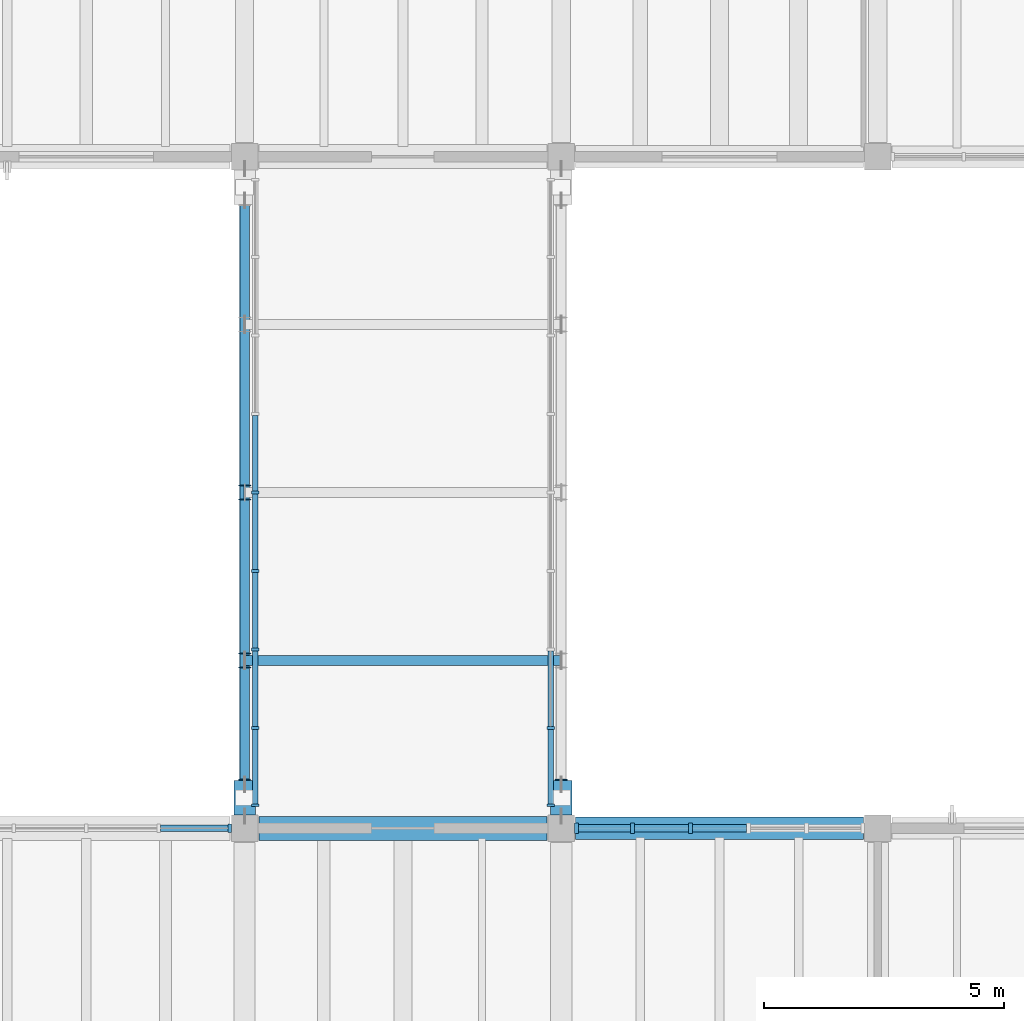
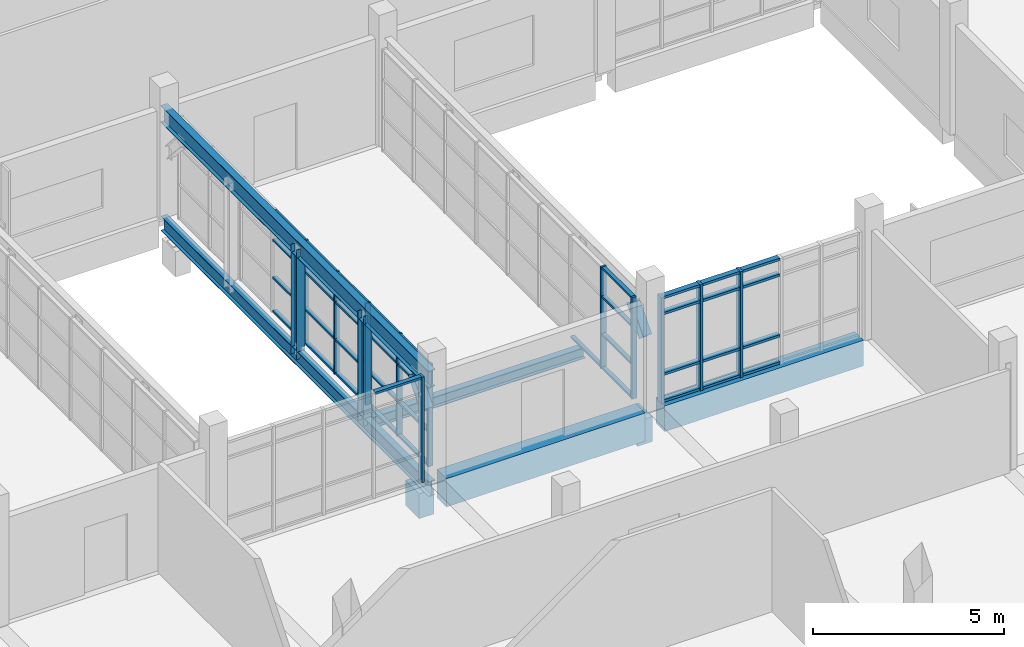
# One storey, part 20 of 67: 55 members, 5 beams, 4 elements without a shape of their own.
"""IFC4 building model written with IfcOpenShell, lengths in metres."""

import ifcopenshell
import ifcopenshell.guid

model = None  # the IFC model being written
_history = None  # IfcOwnerHistory: only IFC2X3 demands one
_inside = {}  # id of a spatial element -> (the spatial element, [elements in it])
_under = {}  # id of a project, library or spatial element -> (it, [spatial elements below it])
_declared = {}  # id of a project -> (the project, [libraries it declares])
_typed = {}  # id of a type object -> (the type object, [elements of that type])
_made_of = {}  # id of a material, layer set ... -> (it, [elements and type objects made of it])


def new_model(schema):
    """Start an empty IFC model of exactly this schema.

    Asked for "IFC4X3", IfcOpenShell would pick the latest addendum, in which some entities
    have other attributes; the version numbers below select the first issue.
    IFC2X3 requires an IfcOwnerHistory on every rooted entity: one is made here for all.
    """
    global model, _history
    if schema == "IFC4X3":
        model = ifcopenshell.file(schema_version=(4, 3, 0, 0))
    else:
        model = ifcopenshell.file(schema=schema)
    _inside.clear()
    _under.clear()
    _declared.clear()
    _typed.clear()
    _made_of.clear()
    _history = None
    if model.schema == "IFC2X3":
        org = make("IfcOrganization", Name="unknown")
        user = make(
            "IfcPersonAndOrganization",
            ThePerson=make("IfcPerson", FamilyName="unknown"),
            TheOrganization=org,
        )
        app = make(
            "IfcApplication",
            ApplicationDeveloper=org,
            Version="unknown",
            ApplicationFullName="unknown",
            ApplicationIdentifier="unknown",
        )
        _history = make(
            "IfcOwnerHistory",
            OwningUser=user,
            OwningApplication=app,
            ChangeAction="ADDED",
            CreationDate=0,
        )
    return model


def make(cls, **values):
    """One entity of the class cls with the attributes given. An attribute that is None is left unset."""
    return model.create_entity(
        cls, **{name: value for name, value in values.items() if value is not None}
    )


def rooted(cls, **values):
    """An entity with a GlobalId (a new one), such as an element, a storey or a relation."""
    return make(cls, GlobalId=ifcopenshell.guid.new(), OwnerHistory=_history, **values)


def si_unit(unit_type, name, prefix=None):
    """IfcSIUnit, for example si_unit("LENGTHUNIT", "METRE", prefix="MILLI")."""
    return make("IfcSIUnit", UnitType=unit_type, Prefix=prefix, Name=name)


def assignment(units):
    """IfcUnitAssignment: the units of a project."""
    return None if units is None else make("IfcUnitAssignment", Units=units)


def point(xyz):
    """IfcCartesianPoint."""
    return None if xyz is None else make("IfcCartesianPoint", Coordinates=xyz)


def direction(xyz):
    """IfcDirection."""
    return None if xyz is None else make("IfcDirection", DirectionRatios=xyz)


def frame(location, z_axis=None, x_axis=None):
    """IfcAxis2Placement3D, a coordinate frame: its origin and axes. An axis left out is left unset."""
    return make(
        "IfcAxis2Placement3D",
        Location=point(location),
        Axis=direction(z_axis),
        RefDirection=direction(x_axis),
    )


def frame_2d(location, x_axis=None):
    """IfcAxis2Placement2D, a coordinate frame in the plane: its origin and x axis."""
    return make(
        "IfcAxis2Placement2D", Location=point(location), RefDirection=direction(x_axis)
    )


def origin():
    """The frame at (0, 0, 0) with its axes left unset."""
    return frame((0.0, 0.0, 0.0))


def origin_2d():
    """The frame at (0, 0) in the plane with its x axis left unset."""
    return frame_2d((0.0, 0.0))


def place(relative_to, where):
    """IfcLocalPlacement: puts the frame where relative to a parent placement (None: the world)."""
    return make(
        "IfcLocalPlacement", PlacementRelTo=relative_to, RelativePlacement=where
    )


def context(
    kind, dimensions, precision=None, world=None, true_north=None, identifier=None
):
    """IfcGeometricRepresentationContext, for example the 3D "Model" context."""
    return make(
        "IfcGeometricRepresentationContext",
        ContextIdentifier=identifier,
        ContextType=kind,
        CoordinateSpaceDimension=dimensions,
        Precision=precision,
        WorldCoordinateSystem=world,
        TrueNorth=true_north,
    )


def subcontext(parent, identifier, kind, view, scale=None):
    """IfcGeometricRepresentationSubContext, for example "Body" below "Model"."""
    return make(
        "IfcGeometricRepresentationSubContext",
        ContextIdentifier=identifier,
        ContextType=kind,
        ParentContext=parent,
        TargetScale=scale,
        TargetView=view,
    )


def project(units=None, contexts=None):
    """IfcProject with its units and contexts."""
    return rooted(
        "IfcProject",
        Name="project",
        RepresentationContexts=contexts,
        UnitsInContext=assignment(units),
    )


def spatial(cls, under=None, at=None, **own):
    """A site, building, storey or space (cls), placed at a placement, below another one or the project."""
    s = rooted(cls, ObjectPlacement=at, **own)
    if under is not None:
        _under.setdefault(under.id(), (under, []))[1].append(s)
    return s


def profile(cls, at=None, kind="AREA", **sizes):
    """A parametric profile (cls). Its sizes go by their IFC names, for example OverallWidth=200.0."""
    return make(cls, ProfileType=kind, Position=at, **sizes)


def rectangle(**sizes):
    """IfcRectangleProfileDef."""
    return profile("IfcRectangleProfileDef", **sizes)


def i_section(**sizes):
    """IfcIShapeProfileDef."""
    return profile("IfcIShapeProfileDef", **sizes)


def extrude(swept, where, along, depth):
    """IfcExtrudedAreaSolid: the profile swept, set in the frame where, extruded along a direction by depth."""
    return make(
        "IfcExtrudedAreaSolid",
        SweptArea=swept,
        Position=where,
        ExtrudedDirection=direction(along),
        Depth=depth,
    )


def shape(context_of_items, identifier, shape_type, items):
    """IfcShapeRepresentation: the items that make up one representation, for example the "Body"."""
    return make(
        "IfcShapeRepresentation",
        ContextOfItems=context_of_items,
        RepresentationIdentifier=identifier,
        RepresentationType=shape_type,
        Items=items,
    )


def material(Name=None, Category=None):
    """IfcMaterial."""
    return make("IfcMaterial", Name=Name, Category=Category)


def material_profile(
    of_material, cross_section, Name=None, Category=None, Priority=None
):
    """IfcMaterialProfile: a cross section and its material."""
    return make(
        "IfcMaterialProfile",
        Name=Name,
        Material=of_material,
        Profile=cross_section,
        Priority=Priority,
        Category=Category,
    )


def profile_set(profiles, Name=None, composite=None):
    """IfcMaterialProfileSet."""
    return make(
        "IfcMaterialProfileSet",
        Name=Name,
        MaterialProfiles=profiles,
        CompositeProfile=composite,
    )


def made_of(thing, what):
    """Note that an element or type object is made of a material, layer set ...; save() writes the relation."""
    if what is not None:
        _made_of.setdefault(what.id(), (what, []))[1].append(thing)
    return thing


def type_object(cls, material=None, **own):
    """A type object (cls), such as IfcWallType, which elements share."""
    return made_of(rooted(cls, **own), material)


def element(
    cls,
    number,
    at=None,
    inside=None,
    cuts=None,
    type_object=None,
    material=None,
    context=None,
    identifier="Body",
    shape_type=None,
    held_by="IfcProductDefinitionShape",
    body=None,
    shapes=None,
    **own,
):
    """One element of the class cls, such as IfcWall. Its Tag is "e" and its number.

    at: its placement. inside: the storey or other place that contains it. cuts: it is an
    opening in that element (IfcRelVoidsElement). A single representation is given by context,
    identifier, shape_type and body (its items); several are given by shapes. held_by: the class
    of the entity that holds the representations. save() writes the other relations.
    """
    e = rooted(cls, Tag="e%d" % number, ObjectPlacement=at, **own)
    if body is not None:
        shapes = [shape(context, identifier, shape_type, body)]
    if shapes is not None:
        e.Representation = make(held_by, Representations=shapes)
    if inside is not None:
        _inside.setdefault(inside.id(), (inside, []))[1].append(e)
    if cuts is not None:
        rooted(
            "IfcRelVoidsElement", RelatingBuildingElement=cuts, RelatedOpeningElement=e
        )
    if type_object is not None:
        _typed.setdefault(type_object.id(), (type_object, []))[1].append(e)
    return made_of(e, material)


def aggregate(whole, parts):
    """IfcRelAggregates: a whole, such as a stair, and the parts it consists of."""
    return rooted("IfcRelAggregates", RelatingObject=whole, RelatedObjects=parts)


def save(model, path):
    """Write the relations noted so far, then the file.

    IfcRelAggregates (storeys below a building ...), IfcRelContainedInSpatialStructure (elements
    in a storey), IfcRelDefinesByType, IfcRelAssociatesMaterial and IfcRelDeclares: one each for
    every whole, place, type object, material and project.
    """
    for whole, parts in _under.values():
        aggregate(whole, parts)
    for where, things in _inside.values():
        rooted(
            "IfcRelContainedInSpatialStructure",
            RelatedElements=things,
            RelatingStructure=where,
        )
    for kind, things in _typed.values():
        rooted("IfcRelDefinesByType", RelatedObjects=things, RelatingType=kind)
    for what, things in _made_of.values():
        rooted("IfcRelAssociatesMaterial", RelatedObjects=things, RelatingMaterial=what)
    for by, libraries in _declared.values():
        rooted("IfcRelDeclares", RelatingContext=by, RelatedDefinitions=libraries)
    model.write(path)


model = new_model("IFC4")

# Units and contexts
model_context = context("Model", 3, precision=1e-05, world=origin(), true_north=direction((0.0, 1.0)))
body_context = subcontext(model_context, "Body", "Model", "MODEL_VIEW")
ifc_project = project(units=[si_unit("LENGTHUNIT", "METRE"), si_unit("AREAUNIT", "SQUARE_METRE"), si_unit("VOLUMEUNIT", "CUBIC_METRE"), si_unit("PLANEANGLEUNIT", "RADIAN"), si_unit("MASSUNIT", "GRAM", prefix="KILO")], contexts=[model_context])

# Site, building, storey
site_placement = place(None, origin())
site = spatial("IfcSite", under=ifc_project, at=site_placement, CompositionType="ELEMENT")
building_placement = place(site_placement, origin())
building = spatial("IfcBuilding", under=site, at=building_placement, Name="Ciguamira Faculty of Natural Sciences", CompositionType="ELEMENT")
storey_placement = place(building_placement, frame((0.0, 0.0, 8.39990234375)))
storey = spatial("IfcBuildingStorey", under=building, at=storey_placement, Name="L02", CompositionType="ELEMENT", Elevation=8.39990234375)

# Curtain wall, members
ifc_material_1 = material(Name="Anodized aluminium curtain wall", Category="aluminium")
curtain_wall_type_1 = type_object("IfcCurtainWallType", Name="CurtainWall_CW-08", PredefinedType="USERDEFINED", material=ifc_material_1)
curtain_wall_1_placement = place(storey_placement, origin())
curtain_wall_1 = element("IfcCurtainWall", 1, at=curtain_wall_1_placement, inside=storey, type_object=curtain_wall_type_1, Name="Link bridge BR-2 glazed curtain wall W", ObjectType="UNITISED CURTAIN WALL", PredefinedType="USERDEFINED")
ifc_material_2 = material(Name="Anodized aluminium mullion", Category="aluminium")
ifc_material_profile_1 = material_profile(ifc_material_2, rectangle(XDim=0.06005859375, YDim=0.159912109375, at=origin_2d()), Name="ALU-MUL-60X160")
ifc_profile_set_1 = profile_set([ifc_material_profile_1], Name="Anodized aluminium mullion")
member_type_1 = type_object("IfcMemberType", Name="CWMullion_CWM-01", PredefinedType="MULLION", material=ifc_profile_set_1)
member_1_placement = place(storey_placement, frame((90.52001953125, 59.47998046875, 0.0), z_axis=(0.0, 0.0, 1.0), x_axis=(0.0, 1.0, 0.0)))
member_1 = element("IfcMember", 2, at=member_1_placement, type_object=member_type_1, Name="CW-08 mullion 1", PredefinedType="MULLION", context=body_context, shape_type="SweptSolid", body=[
    extrude(rectangle(XDim=0.06005859375, YDim=0.159912109375, at=origin_2d()), origin(), (0.0, 0.0, 1.0), 3.25),
])
member_2_placement = place(storey_placement, frame((90.52001953125, 61.08740234375, 0.0), z_axis=(0.0, 0.0, 1.0), x_axis=(0.0, 1.0, 0.0)))
member_2 = element("IfcMember", 3, at=member_2_placement, type_object=member_type_1, Name="CW-08 mullion 2", PredefinedType="MULLION", context=body_context, shape_type="SweptSolid", body=[
    extrude(rectangle(XDim=0.06005859375, YDim=0.159912109375, at=origin_2d()), origin(), (0.0, 0.0, 1.0), 3.25),
])
member_3_placement = place(storey_placement, frame((90.52001953125, 62.72509765625, 0.0), z_axis=(0.0, 0.0, 1.0), x_axis=(0.0, 1.0, 0.0)))
member_3 = element("IfcMember", 4, at=member_3_placement, type_object=member_type_1, Name="CW-08 mullion 3", PredefinedType="MULLION", context=body_context, shape_type="SweptSolid", body=[
    extrude(rectangle(XDim=0.06005859375, YDim=0.159912109375, at=origin_2d()), origin(), (0.0, 0.0, 1.0), 3.25),
])
member_4_placement = place(storey_placement, frame((90.52001953125, 64.362548828125, 0.0), z_axis=(0.0, 0.0, 1.0), x_axis=(0.0, 1.0, 0.0)))
member_4 = element("IfcMember", 5, at=member_4_placement, type_object=member_type_1, Name="CW-08 mullion 4", PredefinedType="MULLION", context=body_context, shape_type="SweptSolid", body=[
    extrude(rectangle(XDim=0.06005859375, YDim=0.159912109375, at=origin_2d()), origin(), (0.0, 0.0, 1.0), 3.25),
])
member_5_placement = place(storey_placement, frame((90.52001953125, 66.0, 0.0), z_axis=(0.0, 0.0, 1.0), x_axis=(0.0, 1.0, 0.0)))
member_5 = element("IfcMember", 6, at=member_5_placement, type_object=member_type_1, Name="CW-08 mullion 5", PredefinedType="MULLION", context=body_context, shape_type="SweptSolid", body=[
    extrude(rectangle(XDim=0.06005859375, YDim=0.159912109375, at=origin_2d()), origin(), (0.0, 0.0, 1.0), 3.25),
])

curtain_wall_type_2 = type_object("IfcCurtainWallType", Name="CurtainWall_CW-09", PredefinedType="USERDEFINED", material=ifc_material_1)
curtain_wall_2_placement = place(storey_placement, origin())
curtain_wall_2 = element("IfcCurtainWall", 7, at=curtain_wall_2_placement, inside=storey, type_object=curtain_wall_type_2, Name="Link bridge BR-2 glazed curtain wall E", ObjectType="UNITISED CURTAIN WALL", PredefinedType="USERDEFINED")
member_6_placement = place(storey_placement, frame((96.679931640625, 59.47998046875, 0.0), z_axis=(0.0, 0.0, 1.0), x_axis=(0.0, 1.0, 0.0)))
member_6 = element("IfcMember", 8, at=member_6_placement, type_object=member_type_1, Name="CW-09 mullion 1", PredefinedType="MULLION", context=body_context, shape_type="SweptSolid", body=[
    extrude(rectangle(XDim=0.06005859375, YDim=0.159912109375, at=origin_2d()), origin(), (0.0, 0.0, 1.0), 3.25),
])
member_7_placement = place(storey_placement, frame((96.679931640625, 61.08740234375, 0.0), z_axis=(0.0, 0.0, 1.0), x_axis=(0.0, 1.0, 0.0)))
member_7 = element("IfcMember", 9, at=member_7_placement, type_object=member_type_1, Name="CW-09 mullion 2", PredefinedType="MULLION", context=body_context, shape_type="SweptSolid", body=[
    extrude(rectangle(XDim=0.06005859375, YDim=0.159912109375, at=origin_2d()), origin(), (0.0, 0.0, 1.0), 3.25),
])

# Curtain wall, member
curtain_wall_type_3 = type_object("IfcCurtainWallType", Name="CurtainWall_CW-05", PredefinedType="USERDEFINED", material=ifc_material_1)
curtain_wall_3_placement = place(storey_placement, origin())
curtain_wall_3 = element("IfcCurtainWall", 10, at=curtain_wall_3_placement, inside=storey, type_object=curtain_wall_type_3, Name="L02 unitised curtain wall 0065", ObjectType="UNITISED CURTAIN WALL", PredefinedType="USERDEFINED")
ifc_material_profile_2 = material_profile(ifc_material_2, rectangle(XDim=0.070068359375, YDim=0.179931640625, at=origin_2d()), Name="ALU-MUL-70X180")
ifc_profile_set_2 = profile_set([ifc_material_profile_2], Name="Anodized aluminium mullion")
member_type_2 = type_object("IfcMemberType", Name="CWMullion_CWM-02", PredefinedType="MULLION", material=ifc_profile_set_2)
member_8_placement = place(storey_placement, frame((89.989990234375, 59.0, 0.0), z_axis=(0.0, 0.0, 1.0), x_axis=(1.0, 0.0, 0.0)))
member_8 = element("IfcMember", 11, at=member_8_placement, type_object=member_type_2, Name="CW-05 mullion 5", PredefinedType="MULLION", context=body_context, shape_type="SweptSolid", body=[
    extrude(rectangle(XDim=0.070068359375, YDim=0.179931640625, at=origin_2d()), origin(), (0.0, 0.0, 1.0), 3.364990234375),
])

# Curtain wall, members
curtain_wall_type_4 = type_object("IfcCurtainWallType", Name="CurtainWall_CW-06", PredefinedType="USERDEFINED", material=ifc_material_1)
curtain_wall_4_placement = place(storey_placement, origin())
curtain_wall_4 = element("IfcCurtainWall", 12, at=curtain_wall_4_placement, inside=storey, type_object=curtain_wall_type_4, Name="L02 unitised curtain wall 0066", ObjectType="UNITISED CURTAIN WALL", PredefinedType="USERDEFINED")
ifc_material_profile_3 = material_profile(ifc_material_2, rectangle(XDim=0.080078125, YDim=0.219970703125, at=origin_2d()), Name="ALU-MUL-80X220")
ifc_profile_set_3 = profile_set([ifc_material_profile_3], Name="Anodized aluminium mullion")
member_type_3 = type_object("IfcMemberType", Name="CWMullion_CWM-03", PredefinedType="MULLION", material=ifc_profile_set_3)
member_9_placement = place(storey_placement, frame((97.215087890625, 59.0, 0.0), z_axis=(0.0, 0.0, 1.0), x_axis=(1.0, 0.0, 0.0)))
member_9 = element("IfcMember", 13, at=member_9_placement, type_object=member_type_3, Name="CW-06 mullion 1", PredefinedType="MULLION", context=body_context, shape_type="SweptSolid", body=[
    extrude(rectangle(XDim=0.080078125, YDim=0.219970703125, at=origin_2d()), origin(), (0.0, 0.0, 1.0), 3.385009765625),
])
member_10_placement = place(storey_placement, frame((98.385009765625, 59.0, 0.0), z_axis=(0.0, 0.0, 1.0), x_axis=(1.0, 0.0, 0.0)))
member_10 = element("IfcMember", 14, at=member_10_placement, type_object=member_type_3, Name="CW-06 mullion 2", PredefinedType="MULLION", context=body_context, shape_type="SweptSolid", body=[
    extrude(rectangle(XDim=0.080078125, YDim=0.219970703125, at=origin_2d()), origin(), (0.0, 0.0, 1.0), 3.385009765625),
])
member_11_placement = place(storey_placement, frame((99.594970703125, 59.0, 0.0), z_axis=(0.0, 0.0, 1.0), x_axis=(1.0, 0.0, 0.0)))
member_11 = element("IfcMember", 15, at=member_11_placement, type_object=member_type_3, Name="CW-06 mullion 3", PredefinedType="MULLION", context=body_context, shape_type="SweptSolid", body=[
    extrude(rectangle(XDim=0.080078125, YDim=0.219970703125, at=origin_2d()), origin(), (0.0, 0.0, 1.0), 3.385009765625),
])

# Member
ifc_material_3 = material(Name="Anodized aluminium transom", Category="aluminium")
ifc_material_profile_4 = material_profile(ifc_material_3, rectangle(XDim=0.06005859375, YDim=0.1201171875, at=origin_2d()), Name="ALU-TRN-60X120")
ifc_profile_set_4 = profile_set([ifc_material_profile_4], Name="Anodized aluminium transom")
member_type_4 = type_object("IfcMemberType", Name="CWTransom_CWT-01", PredefinedType="USERDEFINED", material=ifc_profile_set_4)
member_12_placement = place(storey_placement, frame((90.52001953125, 59.510009765625, 0.030029296875), z_axis=(0.0, 1.0, 0.0), x_axis=(0.0, 0.0, 1.0)))
member_12 = element("IfcMember", 16, at=member_12_placement, type_object=member_type_4, Name="CW-08 transom 1.1", ObjectType="TRANSOM", PredefinedType="USERDEFINED", context=body_context, shape_type="SweptSolid", body=[
    extrude(rectangle(XDim=0.06005859375, YDim=0.1201171875, at=origin_2d()), origin(), (0.0, 0.0, 1.0), 1.547607421875),
])

member_13_placement = place(storey_placement, frame((90.52001953125, 59.510009765625, 1.10009765625), z_axis=(0.0, 1.0, 0.0), x_axis=(0.0, 0.0, 1.0)))
member_13 = element("IfcMember", 17, at=member_13_placement, type_object=member_type_4, Name="CW-08 transom 1.2", ObjectType="TRANSOM", PredefinedType="USERDEFINED", context=body_context, shape_type="SweptSolid", body=[
    extrude(rectangle(XDim=0.06005859375, YDim=0.1201171875, at=origin_2d()), origin(), (0.0, 0.0, 1.0), 1.547607421875),
])

member_14_placement = place(storey_placement, frame((90.52001953125, 59.510009765625, 2.300048828125), z_axis=(0.0, 1.0, 0.0), x_axis=(0.0, 0.0, 1.0)))
member_14 = element("IfcMember", 18, at=member_14_placement, type_object=member_type_4, Name="CW-08 transom 1.3", ObjectType="TRANSOM", PredefinedType="USERDEFINED", context=body_context, shape_type="SweptSolid", body=[
    extrude(rectangle(XDim=0.06005859375, YDim=0.1201171875, at=origin_2d()), origin(), (0.0, 0.0, 1.0), 1.547607421875),
])

member_15_placement = place(storey_placement, frame((90.52001953125, 59.510009765625, 3.22021484375), z_axis=(0.0, 1.0, 0.0), x_axis=(0.0, 0.0, 1.0)))
member_15 = element("IfcMember", 19, at=member_15_placement, type_object=member_type_4, Name="CW-08 transom 1.4", ObjectType="TRANSOM", PredefinedType="USERDEFINED", context=body_context, shape_type="SweptSolid", body=[
    extrude(rectangle(XDim=0.06005859375, YDim=0.1201171875, at=origin_2d()), origin(), (0.0, 0.0, 1.0), 1.547607421875),
])

member_16_placement = place(storey_placement, frame((90.52001953125, 61.117431640625, 0.030029296875), z_axis=(0.0, 1.0, 0.0), x_axis=(0.0, 0.0, 1.0)))
member_16 = element("IfcMember", 20, at=member_16_placement, type_object=member_type_4, Name="CW-08 transom 2.1", ObjectType="TRANSOM", PredefinedType="USERDEFINED", context=body_context, shape_type="SweptSolid", body=[
    extrude(rectangle(XDim=0.06005859375, YDim=0.1201171875, at=origin_2d()), origin(), (0.0, 0.0, 1.0), 1.57763671875),
])

member_17_placement = place(storey_placement, frame((90.52001953125, 61.117431640625, 1.10009765625), z_axis=(0.0, 1.0, 0.0), x_axis=(0.0, 0.0, 1.0)))
member_17 = element("IfcMember", 21, at=member_17_placement, type_object=member_type_4, Name="CW-08 transom 2.2", ObjectType="TRANSOM", PredefinedType="USERDEFINED", context=body_context, shape_type="SweptSolid", body=[
    extrude(rectangle(XDim=0.06005859375, YDim=0.1201171875, at=origin_2d()), origin(), (0.0, 0.0, 1.0), 1.57763671875),
])

member_18_placement = place(storey_placement, frame((90.52001953125, 61.117431640625, 2.300048828125), z_axis=(0.0, 1.0, 0.0), x_axis=(0.0, 0.0, 1.0)))
member_18 = element("IfcMember", 22, at=member_18_placement, type_object=member_type_4, Name="CW-08 transom 2.3", ObjectType="TRANSOM", PredefinedType="USERDEFINED", context=body_context, shape_type="SweptSolid", body=[
    extrude(rectangle(XDim=0.06005859375, YDim=0.1201171875, at=origin_2d()), origin(), (0.0, 0.0, 1.0), 1.57763671875),
])

member_19_placement = place(storey_placement, frame((90.52001953125, 61.117431640625, 3.22021484375), z_axis=(0.0, 1.0, 0.0), x_axis=(0.0, 0.0, 1.0)))
member_19 = element("IfcMember", 23, at=member_19_placement, type_object=member_type_4, Name="CW-08 transom 2.4", ObjectType="TRANSOM", PredefinedType="USERDEFINED", context=body_context, shape_type="SweptSolid", body=[
    extrude(rectangle(XDim=0.06005859375, YDim=0.1201171875, at=origin_2d()), origin(), (0.0, 0.0, 1.0), 1.57763671875),
])

member_20_placement = place(storey_placement, frame((90.52001953125, 62.7548828125, 0.030029296875), z_axis=(0.0, 1.0, 0.0), x_axis=(0.0, 0.0, 1.0)))
member_20 = element("IfcMember", 24, at=member_20_placement, type_object=member_type_4, Name="CW-08 transom 3.1", ObjectType="TRANSOM", PredefinedType="USERDEFINED", context=body_context, shape_type="SweptSolid", body=[
    extrude(rectangle(XDim=0.06005859375, YDim=0.1201171875, at=origin_2d()), origin(), (0.0, 0.0, 1.0), 1.57763671875),
])

member_21_placement = place(storey_placement, frame((90.52001953125, 62.7548828125, 1.10009765625), z_axis=(0.0, 1.0, 0.0), x_axis=(0.0, 0.0, 1.0)))
member_21 = element("IfcMember", 25, at=member_21_placement, type_object=member_type_4, Name="CW-08 transom 3.2", ObjectType="TRANSOM", PredefinedType="USERDEFINED", context=body_context, shape_type="SweptSolid", body=[
    extrude(rectangle(XDim=0.06005859375, YDim=0.1201171875, at=origin_2d()), origin(), (0.0, 0.0, 1.0), 1.57763671875),
])

member_22_placement = place(storey_placement, frame((90.52001953125, 62.7548828125, 2.300048828125), z_axis=(0.0, 1.0, 0.0), x_axis=(0.0, 0.0, 1.0)))
member_22 = element("IfcMember", 26, at=member_22_placement, type_object=member_type_4, Name="CW-08 transom 3.3", ObjectType="TRANSOM", PredefinedType="USERDEFINED", context=body_context, shape_type="SweptSolid", body=[
    extrude(rectangle(XDim=0.06005859375, YDim=0.1201171875, at=origin_2d()), origin(), (0.0, 0.0, 1.0), 1.57763671875),
])

member_23_placement = place(storey_placement, frame((90.52001953125, 62.7548828125, 3.22021484375), z_axis=(0.0, 1.0, 0.0), x_axis=(0.0, 0.0, 1.0)))
member_23 = element("IfcMember", 27, at=member_23_placement, type_object=member_type_4, Name="CW-08 transom 3.4", ObjectType="TRANSOM", PredefinedType="USERDEFINED", context=body_context, shape_type="SweptSolid", body=[
    extrude(rectangle(XDim=0.06005859375, YDim=0.1201171875, at=origin_2d()), origin(), (0.0, 0.0, 1.0), 1.57763671875),
])

member_24_placement = place(storey_placement, frame((90.52001953125, 64.392578125, 0.030029296875), z_axis=(0.0, 1.0, 0.0), x_axis=(0.0, 0.0, 1.0)))
member_24 = element("IfcMember", 28, at=member_24_placement, type_object=member_type_4, Name="CW-08 transom 4.1", ObjectType="TRANSOM", PredefinedType="USERDEFINED", context=body_context, shape_type="SweptSolid", body=[
    extrude(rectangle(XDim=0.06005859375, YDim=0.1201171875, at=origin_2d()), origin(), (0.0, 0.0, 1.0), 1.577392578125),
])

member_25_placement = place(storey_placement, frame((90.52001953125, 64.392578125, 1.10009765625), z_axis=(0.0, 1.0, 0.0), x_axis=(0.0, 0.0, 1.0)))
member_25 = element("IfcMember", 29, at=member_25_placement, type_object=member_type_4, Name="CW-08 transom 4.2", ObjectType="TRANSOM", PredefinedType="USERDEFINED", context=body_context, shape_type="SweptSolid", body=[
    extrude(rectangle(XDim=0.06005859375, YDim=0.1201171875, at=origin_2d()), origin(), (0.0, 0.0, 1.0), 1.577392578125),
])

member_26_placement = place(storey_placement, frame((90.52001953125, 64.392578125, 2.300048828125), z_axis=(0.0, 1.0, 0.0), x_axis=(0.0, 0.0, 1.0)))
member_26 = element("IfcMember", 30, at=member_26_placement, type_object=member_type_4, Name="CW-08 transom 4.3", ObjectType="TRANSOM", PredefinedType="USERDEFINED", context=body_context, shape_type="SweptSolid", body=[
    extrude(rectangle(XDim=0.06005859375, YDim=0.1201171875, at=origin_2d()), origin(), (0.0, 0.0, 1.0), 1.577392578125),
])

member_27_placement = place(storey_placement, frame((90.52001953125, 64.392578125, 3.22021484375), z_axis=(0.0, 1.0, 0.0), x_axis=(0.0, 0.0, 1.0)))
member_27 = element("IfcMember", 31, at=member_27_placement, type_object=member_type_4, Name="CW-08 transom 4.4", ObjectType="TRANSOM", PredefinedType="USERDEFINED", context=body_context, shape_type="SweptSolid", body=[
    extrude(rectangle(XDim=0.06005859375, YDim=0.1201171875, at=origin_2d()), origin(), (0.0, 0.0, 1.0), 1.577392578125),
])

member_28_placement = place(storey_placement, frame((90.52001953125, 66.030029296875, 0.030029296875), z_axis=(0.0, 1.0, 0.0), x_axis=(0.0, 0.0, 1.0)))
member_28 = element("IfcMember", 32, at=member_28_placement, type_object=member_type_4, Name="CW-08 transom 5.1", ObjectType="TRANSOM", PredefinedType="USERDEFINED", context=body_context, shape_type="SweptSolid", body=[
    extrude(rectangle(XDim=0.06005859375, YDim=0.1201171875, at=origin_2d()), origin(), (0.0, 0.0, 1.0), 1.577392578125),
])

member_29_placement = place(storey_placement, frame((90.52001953125, 66.030029296875, 1.10009765625), z_axis=(0.0, 1.0, 0.0), x_axis=(0.0, 0.0, 1.0)))
member_29 = element("IfcMember", 33, at=member_29_placement, type_object=member_type_4, Name="CW-08 transom 5.2", ObjectType="TRANSOM", PredefinedType="USERDEFINED", context=body_context, shape_type="SweptSolid", body=[
    extrude(rectangle(XDim=0.06005859375, YDim=0.1201171875, at=origin_2d()), origin(), (0.0, 0.0, 1.0), 1.577392578125),
])

member_30_placement = place(storey_placement, frame((90.52001953125, 66.030029296875, 2.300048828125), z_axis=(0.0, 1.0, 0.0), x_axis=(0.0, 0.0, 1.0)))
member_30 = element("IfcMember", 34, at=member_30_placement, type_object=member_type_4, Name="CW-08 transom 5.3", ObjectType="TRANSOM", PredefinedType="USERDEFINED", context=body_context, shape_type="SweptSolid", body=[
    extrude(rectangle(XDim=0.06005859375, YDim=0.1201171875, at=origin_2d()), origin(), (0.0, 0.0, 1.0), 1.577392578125),
])

member_31_placement = place(storey_placement, frame((90.52001953125, 66.030029296875, 3.22021484375), z_axis=(0.0, 1.0, 0.0), x_axis=(0.0, 0.0, 1.0)))
member_31 = element("IfcMember", 35, at=member_31_placement, type_object=member_type_4, Name="CW-08 transom 5.4", ObjectType="TRANSOM", PredefinedType="USERDEFINED", context=body_context, shape_type="SweptSolid", body=[
    extrude(rectangle(XDim=0.06005859375, YDim=0.1201171875, at=origin_2d()), origin(), (0.0, 0.0, 1.0), 1.577392578125),
])

aggregate(curtain_wall_1, [member_1, member_2, member_3, member_4, member_5, member_12, member_13, member_14, member_15, member_16, member_17, member_18, member_19, member_20, member_21, member_22, member_23, member_24, member_25, member_26, member_27, member_28, member_29, member_30, member_31])

member_32_placement = place(storey_placement, frame((96.679931640625, 59.510009765625, 0.030029296875), z_axis=(0.0, 1.0, 0.0), x_axis=(0.0, 0.0, 1.0)))
member_32 = element("IfcMember", 36, at=member_32_placement, type_object=member_type_4, Name="CW-09 transom 1.1", ObjectType="TRANSOM", PredefinedType="USERDEFINED", context=body_context, shape_type="SweptSolid", body=[
    extrude(rectangle(XDim=0.06005859375, YDim=0.1201171875, at=origin_2d()), origin(), (0.0, 0.0, 1.0), 1.547607421875),
])

member_33_placement = place(storey_placement, frame((96.679931640625, 59.510009765625, 1.10009765625), z_axis=(0.0, 1.0, 0.0), x_axis=(0.0, 0.0, 1.0)))
member_33 = element("IfcMember", 37, at=member_33_placement, type_object=member_type_4, Name="CW-09 transom 1.2", ObjectType="TRANSOM", PredefinedType="USERDEFINED", context=body_context, shape_type="SweptSolid", body=[
    extrude(rectangle(XDim=0.06005859375, YDim=0.1201171875, at=origin_2d()), origin(), (0.0, 0.0, 1.0), 1.547607421875),
])

member_34_placement = place(storey_placement, frame((96.679931640625, 59.510009765625, 2.300048828125), z_axis=(0.0, 1.0, 0.0), x_axis=(0.0, 0.0, 1.0)))
member_34 = element("IfcMember", 38, at=member_34_placement, type_object=member_type_4, Name="CW-09 transom 1.3", ObjectType="TRANSOM", PredefinedType="USERDEFINED", context=body_context, shape_type="SweptSolid", body=[
    extrude(rectangle(XDim=0.06005859375, YDim=0.1201171875, at=origin_2d()), origin(), (0.0, 0.0, 1.0), 1.547607421875),
])

member_35_placement = place(storey_placement, frame((96.679931640625, 59.510009765625, 3.22021484375), z_axis=(0.0, 1.0, 0.0), x_axis=(0.0, 0.0, 1.0)))
member_35 = element("IfcMember", 39, at=member_35_placement, type_object=member_type_4, Name="CW-09 transom 1.4", ObjectType="TRANSOM", PredefinedType="USERDEFINED", context=body_context, shape_type="SweptSolid", body=[
    extrude(rectangle(XDim=0.06005859375, YDim=0.1201171875, at=origin_2d()), origin(), (0.0, 0.0, 1.0), 1.547607421875),
])

member_36_placement = place(storey_placement, frame((96.679931640625, 61.117431640625, 0.030029296875), z_axis=(0.0, 1.0, 0.0), x_axis=(0.0, 0.0, 1.0)))
member_36 = element("IfcMember", 40, at=member_36_placement, type_object=member_type_4, Name="CW-09 transom 2.1", ObjectType="TRANSOM", PredefinedType="USERDEFINED", context=body_context, shape_type="SweptSolid", body=[
    extrude(rectangle(XDim=0.06005859375, YDim=0.1201171875, at=origin_2d()), origin(), (0.0, 0.0, 1.0), 1.57763671875),
])

aggregate(curtain_wall_2, [member_6, member_7, member_32, member_33, member_34, member_35, member_36])

ifc_material_profile_5 = material_profile(ifc_material_3, rectangle(XDim=0.070068359375, YDim=0.139892578125, at=origin_2d()), Name="ALU-TRN-70X140")
ifc_profile_set_5 = profile_set([ifc_material_profile_5], Name="Anodized aluminium transom")
member_type_5 = type_object("IfcMemberType", Name="CWTransom_CWT-02", PredefinedType="USERDEFINED", material=ifc_profile_set_5)
member_37_placement = place(storey_placement, frame((88.547607421875, 59.0, 3.330078125), z_axis=(1.0, 0.0, 0.0), x_axis=(0.0, 0.0, 1.0)))
member_37 = element("IfcMember", 41, at=member_37_placement, type_object=member_type_5, Name="CW-05 transom 4.4", ObjectType="TRANSOM", PredefinedType="USERDEFINED", context=body_context, shape_type="SweptSolid", body=[
    extrude(rectangle(XDim=0.070068359375, YDim=0.139892578125, at=origin_2d()), origin(), (0.0, 0.0, 1.0), 1.407470703125),
])

aggregate(curtain_wall_3, [member_8, member_37])

ifc_material_profile_6 = material_profile(ifc_material_3, rectangle(XDim=0.080078125, YDim=0.159912109375, at=origin_2d()), Name="ALU-TRN-80X160")
ifc_profile_set_6 = profile_set([ifc_material_profile_6], Name="Anodized aluminium transom")
member_type_6 = type_object("IfcMemberType", Name="CWTransom_CWT-03", PredefinedType="USERDEFINED", material=ifc_profile_set_6)
member_38_placement = place(storey_placement, frame((97.2548828125, 59.0, 0.0400390625), z_axis=(1.0, 0.0, 0.0), x_axis=(0.0, 0.0, 1.0)))
member_38 = element("IfcMember", 42, at=member_38_placement, type_object=member_type_6, Name="CW-06 transom 1.1", ObjectType="TRANSOM", PredefinedType="USERDEFINED", context=body_context, shape_type="SweptSolid", body=[
    extrude(rectangle(XDim=0.080078125, YDim=0.159912109375, at=origin_2d()), origin(), (0.0, 0.0, 1.0), 1.090087890625),
])

member_39_placement = place(storey_placement, frame((97.2548828125, 59.0, 0.900146484375), z_axis=(1.0, 0.0, 0.0), x_axis=(0.0, 0.0, 1.0)))
member_39 = element("IfcMember", 43, at=member_39_placement, type_object=member_type_6, Name="CW-06 transom 1.2", ObjectType="TRANSOM", PredefinedType="USERDEFINED", context=body_context, shape_type="SweptSolid", body=[
    extrude(rectangle(XDim=0.080078125, YDim=0.159912109375, at=origin_2d()), origin(), (0.0, 0.0, 1.0), 1.090087890625),
])

member_40_placement = place(storey_placement, frame((97.2548828125, 59.0, 2.835205078125), z_axis=(1.0, 0.0, 0.0), x_axis=(0.0, 0.0, 1.0)))
member_40 = element("IfcMember", 44, at=member_40_placement, type_object=member_type_6, Name="CW-06 transom 1.3", ObjectType="TRANSOM", PredefinedType="USERDEFINED", context=body_context, shape_type="SweptSolid", body=[
    extrude(rectangle(XDim=0.080078125, YDim=0.159912109375, at=origin_2d()), origin(), (0.0, 0.0, 1.0), 1.090087890625),
])

member_41_placement = place(storey_placement, frame((97.2548828125, 59.0, 3.34521484375), z_axis=(1.0, 0.0, 0.0), x_axis=(0.0, 0.0, 1.0)))
member_41 = element("IfcMember", 45, at=member_41_placement, type_object=member_type_6, Name="CW-06 transom 1.4", ObjectType="TRANSOM", PredefinedType="USERDEFINED", context=body_context, shape_type="SweptSolid", body=[
    extrude(rectangle(XDim=0.080078125, YDim=0.159912109375, at=origin_2d()), origin(), (0.0, 0.0, 1.0), 1.090087890625),
])

member_42_placement = place(storey_placement, frame((98.425048828125, 59.0, 0.0400390625), z_axis=(1.0, 0.0, 0.0), x_axis=(0.0, 0.0, 1.0)))
member_42 = element("IfcMember", 46, at=member_42_placement, type_object=member_type_6, Name="CW-06 transom 2.1", ObjectType="TRANSOM", PredefinedType="USERDEFINED", context=body_context, shape_type="SweptSolid", body=[
    extrude(rectangle(XDim=0.080078125, YDim=0.159912109375, at=origin_2d()), origin(), (0.0, 0.0, 1.0), 1.1298828125),
])

member_43_placement = place(storey_placement, frame((98.425048828125, 59.0, 0.900146484375), z_axis=(1.0, 0.0, 0.0), x_axis=(0.0, 0.0, 1.0)))
member_43 = element("IfcMember", 47, at=member_43_placement, type_object=member_type_6, Name="CW-06 transom 2.2", ObjectType="TRANSOM", PredefinedType="USERDEFINED", context=body_context, shape_type="SweptSolid", body=[
    extrude(rectangle(XDim=0.080078125, YDim=0.159912109375, at=origin_2d()), origin(), (0.0, 0.0, 1.0), 1.1298828125),
])

member_44_placement = place(storey_placement, frame((98.425048828125, 59.0, 2.835205078125), z_axis=(1.0, 0.0, 0.0), x_axis=(0.0, 0.0, 1.0)))
member_44 = element("IfcMember", 48, at=member_44_placement, type_object=member_type_6, Name="CW-06 transom 2.3", ObjectType="TRANSOM", PredefinedType="USERDEFINED", context=body_context, shape_type="SweptSolid", body=[
    extrude(rectangle(XDim=0.080078125, YDim=0.159912109375, at=origin_2d()), origin(), (0.0, 0.0, 1.0), 1.1298828125),
])

member_45_placement = place(storey_placement, frame((98.425048828125, 59.0, 3.34521484375), z_axis=(1.0, 0.0, 0.0), x_axis=(0.0, 0.0, 1.0)))
member_45 = element("IfcMember", 49, at=member_45_placement, type_object=member_type_6, Name="CW-06 transom 2.4", ObjectType="TRANSOM", PredefinedType="USERDEFINED", context=body_context, shape_type="SweptSolid", body=[
    extrude(rectangle(XDim=0.080078125, YDim=0.159912109375, at=origin_2d()), origin(), (0.0, 0.0, 1.0), 1.1298828125),
])

member_46_placement = place(storey_placement, frame((99.635009765625, 59.0, 0.0400390625), z_axis=(1.0, 0.0, 0.0), x_axis=(0.0, 0.0, 1.0)))
member_46 = element("IfcMember", 50, at=member_46_placement, type_object=member_type_6, Name="CW-06 transom 3.1", ObjectType="TRANSOM", PredefinedType="USERDEFINED", context=body_context, shape_type="SweptSolid", body=[
    extrude(rectangle(XDim=0.080078125, YDim=0.159912109375, at=origin_2d()), origin(), (0.0, 0.0, 1.0), 1.1298828125),
])

member_47_placement = place(storey_placement, frame((99.635009765625, 59.0, 0.900146484375), z_axis=(1.0, 0.0, 0.0), x_axis=(0.0, 0.0, 1.0)))
member_47 = element("IfcMember", 51, at=member_47_placement, type_object=member_type_6, Name="CW-06 transom 3.2", ObjectType="TRANSOM", PredefinedType="USERDEFINED", context=body_context, shape_type="SweptSolid", body=[
    extrude(rectangle(XDim=0.080078125, YDim=0.159912109375, at=origin_2d()), origin(), (0.0, 0.0, 1.0), 1.1298828125),
])

member_48_placement = place(storey_placement, frame((99.635009765625, 59.0, 2.835205078125), z_axis=(1.0, 0.0, 0.0), x_axis=(0.0, 0.0, 1.0)))
member_48 = element("IfcMember", 52, at=member_48_placement, type_object=member_type_6, Name="CW-06 transom 3.3", ObjectType="TRANSOM", PredefinedType="USERDEFINED", context=body_context, shape_type="SweptSolid", body=[
    extrude(rectangle(XDim=0.080078125, YDim=0.159912109375, at=origin_2d()), origin(), (0.0, 0.0, 1.0), 1.1298828125),
])

member_49_placement = place(storey_placement, frame((99.635009765625, 59.0, 3.34521484375), z_axis=(1.0, 0.0, 0.0), x_axis=(0.0, 0.0, 1.0)))
member_49 = element("IfcMember", 53, at=member_49_placement, type_object=member_type_6, Name="CW-06 transom 3.4", ObjectType="TRANSOM", PredefinedType="USERDEFINED", context=body_context, shape_type="SweptSolid", body=[
    extrude(rectangle(XDim=0.080078125, YDim=0.159912109375, at=origin_2d()), origin(), (0.0, 0.0, 1.0), 1.1298828125),
])

aggregate(curtain_wall_4, [member_9, member_10, member_11, member_38, member_39, member_40, member_41, member_42, member_43, member_44, member_45, member_46, member_47, member_48, member_49])

# Beams
ifc_material_4 = material(Name="Concrete C40/50", Category="concrete")
ifc_material_profile_7 = material_profile(ifc_material_4, rectangle(XDim=0.5, YDim=0.89990234375, at=origin_2d()), Name="RC-BM-500X900")
ifc_profile_set_7 = profile_set([ifc_material_profile_7], Name="Concrete C40/50")
beam_type_1 = type_object("IfcBeamType", Name="RCBeam_BG-03_RC-BM-500X900", PredefinedType="BEAM", material=ifc_profile_set_7)
beam_1_placement = place(storey_placement, frame((90.60009765625, 59.0, -0.449951171875), z_axis=(1.0, 0.0, 0.0), x_axis=(0.0, 1.0, 0.0)))
element("IfcBeam", 54, at=beam_1_placement, inside=storey, type_object=beam_type_1, Name="L02 RC girder EW-0806", PredefinedType="BEAM", context=body_context, shape_type="SweptSolid", body=[
    extrude(rectangle(XDim=0.5, YDim=0.89990234375, at=origin_2d()), origin(), (0.0, 0.0, 1.0), 6.0),
])
ifc_material_profile_8 = material_profile(ifc_material_4, rectangle(XDim=0.4599609375, YDim=0.820068359375, at=origin_2d()), Name="RC-BM-460X820")
ifc_profile_set_8 = profile_set([ifc_material_profile_8], Name="Concrete C40/50")
beam_type_2 = type_object("IfcBeamType", Name="RCBeam_BG-04_RC-BM-460X820", PredefinedType="BEAM", material=ifc_profile_set_8)
beam_2_placement = place(storey_placement, frame((97.199951171875, 59.0, -0.409912109375), z_axis=(1.0, 0.0, 0.0), x_axis=(0.0, 1.0, 0.0)))
element("IfcBeam", 55, at=beam_2_placement, inside=storey, type_object=beam_type_2, Name="L02 RC girder EW-0807", PredefinedType="BEAM", context=body_context, shape_type="SweptSolid", body=[
    extrude(rectangle(XDim=0.4599609375, YDim=0.820068359375, at=origin_2d()), origin(), (0.0, 0.0, 1.0), 6.0),
])
ifc_material_profile_9 = material_profile(ifc_material_4, rectangle(XDim=0.449951171875, YDim=0.800048828125, at=origin_2d()), Name="RC-BM-450X800")
ifc_profile_set_9 = profile_set([ifc_material_profile_9], Name="Concrete C40/50")
beam_type_3 = type_object("IfcBeamType", Name="RCBeam_BG-05_RC-BM-450X800", PredefinedType="BEAM", material=ifc_profile_set_9)
for number, where, z_axis, x_axis, name in (
    (56, (90.300048828125, 59.27490234375, -1.015625), (0.0, 1.0, 0.0), (-1.0, 0.0, 0.0), "Link bridge BR-2 fixed south RC corbel seat 1"),
    (57, (96.89990234375, 59.27490234375, -1.015625), (0.0, 1.0, 0.0), (-1.0, 0.0, 0.0), "Link bridge BR-2 fixed south RC corbel seat 2"),
):
    element("IfcBeam", number, at=place(storey_placement, frame(where, z_axis=z_axis, x_axis=x_axis)), inside=storey, type_object=beam_type_3, Name=name, PredefinedType="BEAM", context=body_context, shape_type="SweptSolid", body=[
        extrude(rectangle(XDim=0.449951171875, YDim=0.800048828125, at=origin_2d()), origin(), (0.0, 0.0, 1.0), 0.72021484375),
    ])
ifc_material_5 = material(Name="Steel ASTM A992 Grade 50", Category="steel")
ifc_material_profile_10 = material_profile(ifc_material_5, i_section(OverallWidth=0.203125, OverallDepth=0.347900390625, WebThickness=0.0078125, FlangeThickness=0.013427734375, at=origin_2d()), Name="W14X43")
ifc_profile_set_10 = profile_set([ifc_material_profile_10], Name="Steel ASTM A992 Grade 50")
beam_type_4 = type_object("IfcBeamType", Name="SteelJoist_SJ-12_W14X43", PredefinedType="JOIST", material=ifc_profile_set_10)
beam_3_placement = place(storey_placement, frame((90.300048828125, 62.5, -0.393798828125), z_axis=(1.0, 0.0, 0.0), x_axis=(0.0, 1.0, 0.0)))
element("IfcBeam", 58, at=beam_3_placement, inside=storey, type_object=beam_type_4, Name="Link bridge BR-2 floor crossbeam 1", PredefinedType="JOIST", context=body_context, shape_type="SweptSolid", body=[
    extrude(i_section(OverallWidth=0.203125, OverallDepth=0.347900390625, WebThickness=0.0078125, FlangeThickness=0.013427734375, at=origin_2d()), origin(), (0.0, 0.0, 1.0), 6.599853515625),
])

# Members
ifc_material_profile_11 = material_profile(ifc_material_5, i_section(OverallWidth=0.19287109375, OverallDepth=0.46728515625, WebThickness=0.011474609375, FlangeThickness=0.01904296875, at=origin_2d()), Name="W18X65")
ifc_profile_set_11 = profile_set([ifc_material_profile_11], Name="Steel ASTM A992 Grade 50")
member_type_7 = type_object("IfcMemberType", Name="SteelMember_TC-01_W18X65", PredefinedType="CHORD", material=ifc_profile_set_11)
member_50_placement = place(storey_placement, frame((90.300048828125, 59.0, -0.349853515625), z_axis=(0.0, 1.0, 0.0), x_axis=(-1.0, 0.0, 0.0)))
element("IfcMember", 59, at=member_50_placement, inside=storey, type_object=member_type_7, Name="Link bridge BR-2 bottom truss chord 1", PredefinedType="CHORD", context=body_context, shape_type="SweptSolid", body=[
    extrude(i_section(OverallWidth=0.19287109375, OverallDepth=0.46728515625, WebThickness=0.011474609375, FlangeThickness=0.01904296875, at=origin_2d()), origin(), (0.0, 0.0, 1.0), 14.0),
])
ifc_material_profile_12 = material_profile(ifc_material_5, i_section(OverallWidth=0.2099609375, OverallDepth=0.535888671875, WebThickness=0.010986328125, FlangeThickness=0.017333984375, at=origin_2d()), Name="W21X68")
ifc_profile_set_12 = profile_set([ifc_material_profile_12], Name="Steel ASTM A992 Grade 50")
member_type_8 = type_object("IfcMemberType", Name="SteelMember_TC-02_W21X68", PredefinedType="CHORD", material=ifc_profile_set_12)
member_51_placement = place(storey_placement, frame((90.300048828125, 59.0, 3.150146484375), z_axis=(0.0, 1.0, 0.0), x_axis=(-1.0, 0.0, 0.0)))
element("IfcMember", 60, at=member_51_placement, inside=storey, type_object=member_type_8, Name="Link bridge BR-2 top truss chord 1", PredefinedType="CHORD", context=body_context, shape_type="SweptSolid", body=[
    extrude(i_section(OverallWidth=0.2099609375, OverallDepth=0.535888671875, WebThickness=0.010986328125, FlangeThickness=0.017333984375, at=origin_2d()), origin(), (0.0, 0.0, 1.0), 14.0),
])
ifc_material_profile_13 = material_profile(ifc_material_5, i_section(OverallWidth=0.25390625, OverallDepth=0.307373046875, WebThickness=0.0087890625, FlangeThickness=0.0146484375, at=origin_2d()), Name="W12X53")
ifc_profile_set_13 = profile_set([ifc_material_profile_13], Name="Steel ASTM A992 Grade 50")
member_type_9 = type_object("IfcMemberType", Name="SteelMember_TS-02_W12X53", PredefinedType="STRUT", material=ifc_profile_set_13)
for number, where, z_axis, x_axis, name in (
    (61, (90.300048828125, 62.5, -0.349853515625), (0.0, 0.0, 1.0), (1.0, 0.0, 0.0), "Link bridge BR-2 truss vertical 1-2"),
    (62, (90.300048828125, 66.0, -0.349853515625), (0.0, 0.0, 1.0), (1.0, 0.0, 0.0), "Link bridge BR-2 truss vertical 1-3"),
):
    element("IfcMember", number, at=place(storey_placement, frame(where, z_axis=z_axis, x_axis=x_axis)), inside=storey, type_object=member_type_9, Name=name, PredefinedType="STRUT", context=body_context, shape_type="SweptSolid", body=[
        extrude(i_section(OverallWidth=0.25390625, OverallDepth=0.307373046875, WebThickness=0.0087890625, FlangeThickness=0.0146484375, at=origin_2d()), origin(), (0.0, 0.0, 1.0), 3.5),
    ])
for number, where, z_axis, x_axis, name in (
    (63, (90.300048828125, 59.25, 2.034423828125), (0.0, 0.660578310858, 0.750757147967), (-1.0, 0.0, 0.0), "Link bridge BR-4 s corbel knee strut 1"),
    (64, (96.89990234375, 59.25, 2.034423828125), (0.0, 0.660578310858, 0.750757147967), (-1.0, 0.0, 0.0), "Link bridge BR-4 s corbel knee strut 2"),
):
    element("IfcMember", number, at=place(storey_placement, frame(where, z_axis=z_axis, x_axis=x_axis)), inside=storey, type_object=member_type_9, Name=name, PredefinedType="STRUT", context=body_context, shape_type="SweptSolid", body=[
        extrude(i_section(OverallWidth=0.25390625, OverallDepth=0.307373046875, WebThickness=0.0087890625, FlangeThickness=0.0146484375, at=origin_2d()), origin(), (0.0, 0.0, 1.0), 0.9990234375),
    ])

save(model, "model.ifc")
